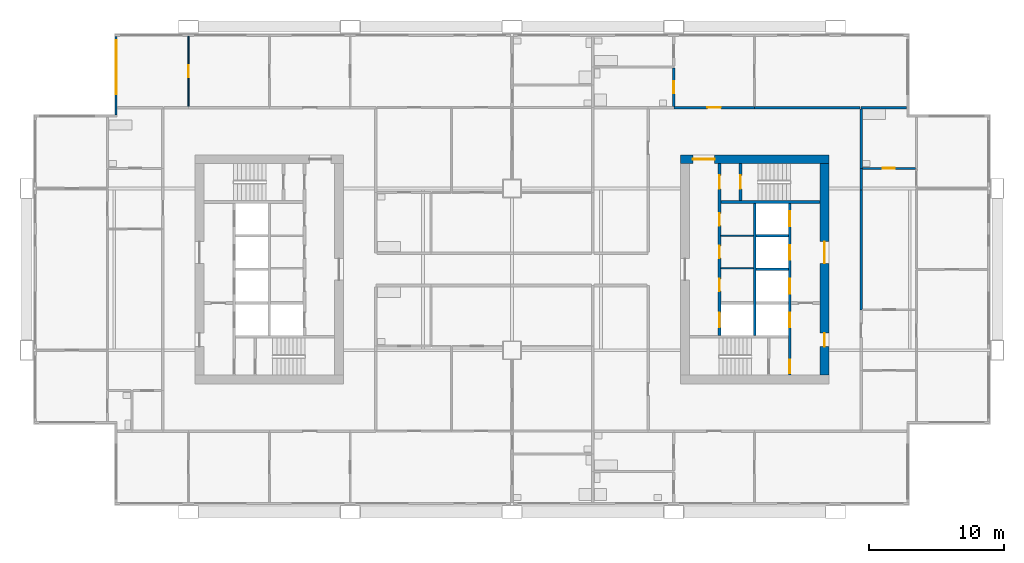
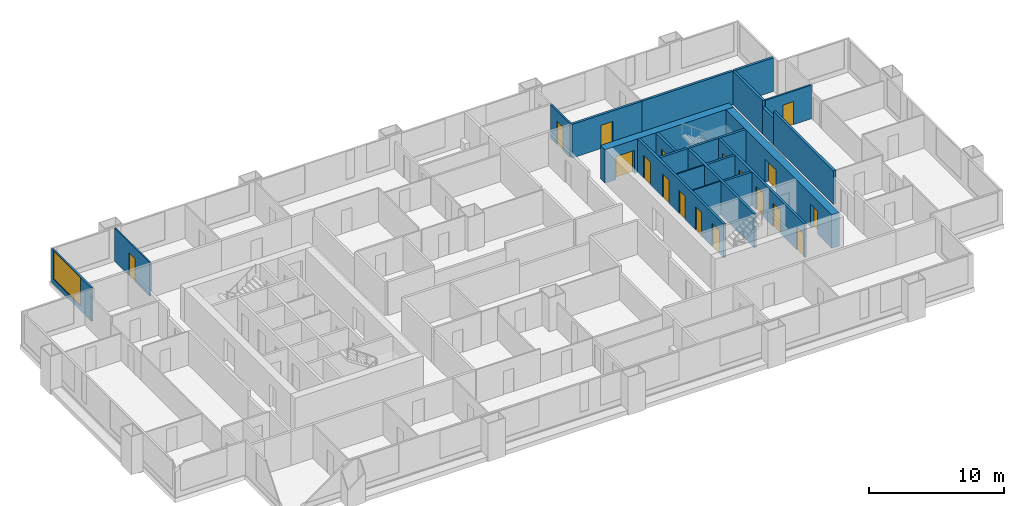
# One storey, part 7 of 11: 21 walls, 18 doors, 1 window, 19 openings.
"""IFC4 building model written with IfcOpenShell, lengths in metres."""

import ifcopenshell
import ifcopenshell.guid

model = None  # the IFC model being written
_history = None  # IfcOwnerHistory: only IFC2X3 demands one
_inside = {}  # id of a spatial element -> (the spatial element, [elements in it])
_under = {}  # id of a project, library or spatial element -> (it, [spatial elements below it])
_declared = {}  # id of a project -> (the project, [libraries it declares])
_typed = {}  # id of a type object -> (the type object, [elements of that type])
_made_of = {}  # id of a material, layer set ... -> (it, [elements and type objects made of it])


def new_model(schema):
    """Start an empty IFC model of exactly this schema.

    Asked for "IFC4X3", IfcOpenShell would pick the latest addendum, in which some entities
    have other attributes; the version numbers below select the first issue.
    IFC2X3 requires an IfcOwnerHistory on every rooted entity: one is made here for all.
    """
    global model, _history
    if schema == "IFC4X3":
        model = ifcopenshell.file(schema_version=(4, 3, 0, 0))
    else:
        model = ifcopenshell.file(schema=schema)
    _inside.clear()
    _under.clear()
    _declared.clear()
    _typed.clear()
    _made_of.clear()
    _history = None
    if model.schema == "IFC2X3":
        org = make("IfcOrganization", Name="unknown")
        user = make(
            "IfcPersonAndOrganization",
            ThePerson=make("IfcPerson", FamilyName="unknown"),
            TheOrganization=org,
        )
        app = make(
            "IfcApplication",
            ApplicationDeveloper=org,
            Version="unknown",
            ApplicationFullName="unknown",
            ApplicationIdentifier="unknown",
        )
        _history = make(
            "IfcOwnerHistory",
            OwningUser=user,
            OwningApplication=app,
            ChangeAction="ADDED",
            CreationDate=0,
        )
    return model


def make(cls, **values):
    """One entity of the class cls with the attributes given. An attribute that is None is left unset."""
    return model.create_entity(
        cls, **{name: value for name, value in values.items() if value is not None}
    )


def rooted(cls, **values):
    """An entity with a GlobalId (a new one), such as an element, a storey or a relation."""
    return make(cls, GlobalId=ifcopenshell.guid.new(), OwnerHistory=_history, **values)


def si_unit(unit_type, name, prefix=None):
    """IfcSIUnit, for example si_unit("LENGTHUNIT", "METRE", prefix="MILLI")."""
    return make("IfcSIUnit", UnitType=unit_type, Prefix=prefix, Name=name)


def assignment(units):
    """IfcUnitAssignment: the units of a project."""
    return None if units is None else make("IfcUnitAssignment", Units=units)


def point(xyz):
    """IfcCartesianPoint."""
    return None if xyz is None else make("IfcCartesianPoint", Coordinates=xyz)


def direction(xyz):
    """IfcDirection."""
    return None if xyz is None else make("IfcDirection", DirectionRatios=xyz)


def frame(location, z_axis=None, x_axis=None):
    """IfcAxis2Placement3D, a coordinate frame: its origin and axes. An axis left out is left unset."""
    return make(
        "IfcAxis2Placement3D",
        Location=point(location),
        Axis=direction(z_axis),
        RefDirection=direction(x_axis),
    )


def frame_2d(location, x_axis=None):
    """IfcAxis2Placement2D, a coordinate frame in the plane: its origin and x axis."""
    return make(
        "IfcAxis2Placement2D", Location=point(location), RefDirection=direction(x_axis)
    )


def origin():
    """The frame at (0, 0, 0) with its axes left unset."""
    return frame((0.0, 0.0, 0.0))


def place(relative_to, where):
    """IfcLocalPlacement: puts the frame where relative to a parent placement (None: the world)."""
    return make(
        "IfcLocalPlacement", PlacementRelTo=relative_to, RelativePlacement=where
    )


def context(
    kind, dimensions, precision=None, world=None, true_north=None, identifier=None
):
    """IfcGeometricRepresentationContext, for example the 3D "Model" context."""
    return make(
        "IfcGeometricRepresentationContext",
        ContextIdentifier=identifier,
        ContextType=kind,
        CoordinateSpaceDimension=dimensions,
        Precision=precision,
        WorldCoordinateSystem=world,
        TrueNorth=true_north,
    )


def subcontext(parent, identifier, kind, view, scale=None):
    """IfcGeometricRepresentationSubContext, for example "Body" below "Model"."""
    return make(
        "IfcGeometricRepresentationSubContext",
        ContextIdentifier=identifier,
        ContextType=kind,
        ParentContext=parent,
        TargetScale=scale,
        TargetView=view,
    )


def project(units=None, contexts=None):
    """IfcProject with its units and contexts."""
    return rooted(
        "IfcProject",
        Name="project",
        RepresentationContexts=contexts,
        UnitsInContext=assignment(units),
    )


def spatial(cls, under=None, at=None, **own):
    """A site, building, storey or space (cls), placed at a placement, below another one or the project."""
    s = rooted(cls, ObjectPlacement=at, **own)
    if under is not None:
        _under.setdefault(under.id(), (under, []))[1].append(s)
    return s


def profile(cls, at=None, kind="AREA", **sizes):
    """A parametric profile (cls). Its sizes go by their IFC names, for example OverallWidth=200.0."""
    return make(cls, ProfileType=kind, Position=at, **sizes)


def rectangle(**sizes):
    """IfcRectangleProfileDef."""
    return profile("IfcRectangleProfileDef", **sizes)


def extrude(swept, where, along, depth):
    """IfcExtrudedAreaSolid: the profile swept, set in the frame where, extruded along a direction by depth."""
    return make(
        "IfcExtrudedAreaSolid",
        SweptArea=swept,
        Position=where,
        ExtrudedDirection=direction(along),
        Depth=depth,
    )


def shape(context_of_items, identifier, shape_type, items):
    """IfcShapeRepresentation: the items that make up one representation, for example the "Body"."""
    return make(
        "IfcShapeRepresentation",
        ContextOfItems=context_of_items,
        RepresentationIdentifier=identifier,
        RepresentationType=shape_type,
        Items=items,
    )


def material(Name=None, Category=None):
    """IfcMaterial."""
    return make("IfcMaterial", Name=Name, Category=Category)


def layer(
    of_material, thickness, ventilated=None, Name=None, Category=None, Priority=None
):
    """IfcMaterialLayer: one layer of a wall or slab, of a material (None: an air gap)."""
    return make(
        "IfcMaterialLayer",
        Material=of_material,
        LayerThickness=thickness,
        IsVentilated=ventilated,
        Name=Name,
        Category=Category,
        Priority=Priority,
    )


def layer_set(layers, Name=None):
    """IfcMaterialLayerSet."""
    return make("IfcMaterialLayerSet", MaterialLayers=layers, LayerSetName=Name)


def made_of(thing, what):
    """Note that an element or type object is made of a material, layer set ...; save() writes the relation."""
    if what is not None:
        _made_of.setdefault(what.id(), (what, []))[1].append(thing)
    return thing


def type_object(cls, material=None, **own):
    """A type object (cls), such as IfcWallType, which elements share."""
    return made_of(rooted(cls, **own), material)


def element(
    cls,
    number,
    at=None,
    inside=None,
    cuts=None,
    type_object=None,
    material=None,
    context=None,
    identifier="Body",
    shape_type=None,
    held_by="IfcProductDefinitionShape",
    body=None,
    shapes=None,
    **own,
):
    """One element of the class cls, such as IfcWall. Its Tag is "e" and its number.

    at: its placement. inside: the storey or other place that contains it. cuts: it is an
    opening in that element (IfcRelVoidsElement). A single representation is given by context,
    identifier, shape_type and body (its items); several are given by shapes. held_by: the class
    of the entity that holds the representations. save() writes the other relations.
    """
    e = rooted(cls, Tag="e%d" % number, ObjectPlacement=at, **own)
    if body is not None:
        shapes = [shape(context, identifier, shape_type, body)]
    if shapes is not None:
        e.Representation = make(held_by, Representations=shapes)
    if inside is not None:
        _inside.setdefault(inside.id(), (inside, []))[1].append(e)
    if cuts is not None:
        rooted(
            "IfcRelVoidsElement", RelatingBuildingElement=cuts, RelatedOpeningElement=e
        )
    if type_object is not None:
        _typed.setdefault(type_object.id(), (type_object, []))[1].append(e)
    return made_of(e, material)


def fill(opening, filler):
    """IfcRelFillsElement: the door or window that sits in an opening."""
    return rooted(
        "IfcRelFillsElement",
        RelatingOpeningElement=opening,
        RelatedBuildingElement=filler,
    )


def aggregate(whole, parts):
    """IfcRelAggregates: a whole, such as a stair, and the parts it consists of."""
    return rooted("IfcRelAggregates", RelatingObject=whole, RelatedObjects=parts)


def save(model, path):
    """Write the relations noted so far, then the file.

    IfcRelAggregates (storeys below a building ...), IfcRelContainedInSpatialStructure (elements
    in a storey), IfcRelDefinesByType, IfcRelAssociatesMaterial and IfcRelDeclares: one each for
    every whole, place, type object, material and project.
    """
    for whole, parts in _under.values():
        aggregate(whole, parts)
    for where, things in _inside.values():
        rooted(
            "IfcRelContainedInSpatialStructure",
            RelatedElements=things,
            RelatingStructure=where,
        )
    for kind, things in _typed.values():
        rooted("IfcRelDefinesByType", RelatedObjects=things, RelatingType=kind)
    for what, things in _made_of.values():
        rooted("IfcRelAssociatesMaterial", RelatedObjects=things, RelatingMaterial=what)
    for by, libraries in _declared.values():
        rooted("IfcRelDeclares", RelatingContext=by, RelatedDefinitions=libraries)
    model.write(path)


model = new_model("IFC4")

# Units and contexts
model_context = context("Model", 3, precision=1e-05, world=origin(), true_north=direction((0.0, 1.0)))
body_context = subcontext(model_context, "Body", "Model", "MODEL_VIEW")
ifc_project = project(units=[si_unit("LENGTHUNIT", "METRE"), si_unit("AREAUNIT", "SQUARE_METRE"), si_unit("VOLUMEUNIT", "CUBIC_METRE"), si_unit("PLANEANGLEUNIT", "RADIAN"), si_unit("MASSUNIT", "GRAM", prefix="KILO")], contexts=[model_context])

# Site, building, storey
site_placement = place(None, origin())
site = spatial("IfcSite", under=ifc_project, at=site_placement, CompositionType="ELEMENT")
building_placement = place(site_placement, origin())
building = spatial("IfcBuilding", under=site, at=building_placement, Name="Kitamizu Gate Tower and Museum", CompositionType="ELEMENT")
storey_placement = place(building_placement, frame((0.0, 0.0, 120.75)))
storey = spatial("IfcBuildingStorey", under=building, at=storey_placement, Name="L31", CompositionType="ELEMENT", Elevation=120.75)

# Wall, opening, door
ifc_material_1 = material(Name="Concrete Fc60", Category="concrete")
ifc_layer_1 = layer(ifc_material_1, 0.64990234375)
ifc_layer_set_1 = layer_set([ifc_layer_1], Name="Concrete Fc60")
wall_type_1 = type_object("IfcWallType", Name="Core wall 650", PredefinedType="SHEAR", material=ifc_layer_set_1)
wall_1_placement = place(storey_placement, frame((59.5, 38.175048828125, 0.0), z_axis=(0.0, 0.0, 1.0), x_axis=(-1.0, 0.0, 0.0)))
wall_1 = element("IfcWall", 1, at=wall_1_placement, inside=storey, type_object=wall_type_1, Name="Core wall EN", PredefinedType="SHEAR", context=body_context, shape_type="SweptSolid", body=[
    extrude(rectangle(XDim=11.0, YDim=0.64990234375, at=frame_2d((5.5, 0.0))), origin(), (0.0, 0.0, 1.0), 3.050048828125),
])
opening_1_placement = place(wall_1_placement, frame((8.47509765625, 0.0, 0.0)))
opening_1 = element("IfcOpeningElement", 2, at=opening_1_placement, cuts=wall_1, Name="Opening L31-067", PredefinedType="OPENING", context=body_context, shape_type="SweptSolid", body=[
    extrude(rectangle(XDim=1.60009765625, YDim=2.10009765625, at=frame_2d((0.800048828125, 1.050048828125))), frame((0.0, 0.3349609375, 0.0), z_axis=(0.0, -1.0, 0.0), x_axis=(1.0, 0.0, 0.0)), (0.0, 0.0, 1.0), 0.669921875),
])
ifc_material_2 = material(Name="Timber door set", Category="wood")
door_type_1 = type_object("IfcDoorType", Name="Entrance door 1600", OperationType="DOUBLE_DOOR_SINGLE_SWING", PredefinedType="DOOR", material=ifc_material_2)
door_1_placement = place(opening_1_placement, origin())
door_1 = element("IfcDoor", 3, at=door_1_placement, inside=storey, type_object=door_type_1, Name="Lobby door L31-067", OperationType="DOUBLE_DOOR_SINGLE_SWING", OverallHeight=2.10009765625, OverallWidth=1.60009765625, PredefinedType="DOOR", context=body_context, shape_type="SweptSolid", body=[
    extrude(rectangle(XDim=1.60009765625, YDim=2.10009765625, at=frame_2d((0.800048828125, 1.050048828125))), frame((0.0, 0.02490234375, 0.0), z_axis=(0.0, -1.0, 0.0), x_axis=(1.0, 0.0, 0.0)), (0.0, 0.0, 1.0), 0.050048828125),
])
fill(opening_1, door_1)

# Wall, openings, doors
wall_2_placement = place(storey_placement, frame((59.175048828125, 22.14990234375, 0.0), z_axis=(0.0, 0.0, 1.0), x_axis=(0.0, 1.0, 0.0)))
wall_2 = element("IfcWall", 4, at=wall_2_placement, inside=storey, type_object=wall_type_1, Name="Core wall EOUT", PredefinedType="SHEAR", context=body_context, shape_type="SweptSolid", body=[
    extrude(rectangle(XDim=15.7001953125, YDim=0.64990234375, at=frame_2d((7.85009765625, 0.0))), origin(), (0.0, 0.0, 1.0), 3.050048828125),
])
opening_2_placement = place(wall_2_placement, frame((8.300048828125, 0.0, 0.0)))
opening_2 = element("IfcOpeningElement", 5, at=opening_2_placement, cuts=wall_2, Name="Opening L31-065", PredefinedType="OPENING", context=body_context, shape_type="SweptSolid", body=[
    extrude(rectangle(XDim=1.60009765625, YDim=2.10009765625, at=frame_2d((0.800048828125, 1.050048828125))), frame((0.0, 0.3349609375, 0.0), z_axis=(0.0, -1.0, 0.0), x_axis=(1.0, 0.0, 0.0)), (0.0, 0.0, 1.0), 0.669921875),
])
opening_3_placement = place(wall_2_placement, frame((2.125, 0.0, 0.0)))
opening_3 = element("IfcOpeningElement", 6, at=opening_3_placement, cuts=wall_2, Name="Opening L31-066", PredefinedType="OPENING", context=body_context, shape_type="SweptSolid", body=[
    extrude(rectangle(XDim=1.0, YDim=2.10009765625, at=frame_2d((0.5, 1.050048828125))), frame((0.0, 0.3349609375, 0.0), z_axis=(0.0, -1.0, 0.0), x_axis=(1.0, 0.0, 0.0)), (0.0, 0.0, 1.0), 0.669921875),
])
door_2_placement = place(opening_2_placement, origin())
door_2 = element("IfcDoor", 7, at=door_2_placement, inside=storey, type_object=door_type_1, Name="Lobby door L31-065", OperationType="DOUBLE_DOOR_SINGLE_SWING", OverallHeight=2.10009765625, OverallWidth=1.60009765625, PredefinedType="DOOR", context=body_context, shape_type="SweptSolid", body=[
    extrude(rectangle(XDim=1.60009765625, YDim=2.10009765625, at=frame_2d((0.800048828125, 1.050048828125))), frame((0.0, 0.02490234375, 0.0), z_axis=(0.0, -1.0, 0.0), x_axis=(1.0, 0.0, 0.0)), (0.0, 0.0, 1.0), 0.050048828125),
])
fill(opening_2, door_2)
ifc_material_3 = material(Name="Hollow metal door set")
door_type_2 = type_object("IfcDoorType", Name="Fire door 1000", OperationType="NOTDEFINED", PredefinedType="DOOR", material=ifc_material_3)
door_3_placement = place(opening_3_placement, origin())
door_3 = element("IfcDoor", 8, at=door_3_placement, inside=storey, type_object=door_type_2, Name="Fire-fighting lobby door L31-066", OperationType="SINGLE_SWING_LEFT", OverallHeight=2.10009765625, OverallWidth=1.0, PredefinedType="DOOR", context=body_context, shape_type="SweptSolid", body=[
    extrude(rectangle(XDim=1.0, YDim=2.10009765625, at=frame_2d((0.5, 1.050048828125))), frame((0.0, 0.02490234375, 0.0), z_axis=(0.0, -1.0, 0.0), x_axis=(1.0, 0.0, 0.0)), (0.0, 0.0, 1.0), 0.050048828125),
])
fill(opening_3, door_3)

# Walls
ifc_material_4 = material(Name="Gypsum board on galvanised stud")
ifc_layer_2 = layer(ifc_material_4, 0.10009765625)
ifc_layer_set_2 = layer_set([ifc_layer_2], Name="Gypsum board on galvanised stud")
wall_type_2 = type_object("IfcWallType", Name="Partition 100", PredefinedType="PARTITIONING", material=ifc_layer_set_2)
for number, where, z_axis, x_axis, name in (
    (9, (53.89990234375, 30.08203125, 0.0), (0.0, 0.0, 1.0), (-1.0, 0.0, 0.0), "Partition EPF1"),
    (10, (53.89990234375, 32.490966796875, 0.0), (0.0, 0.0, 1.0), (-1.0, 0.0, 0.0), "Partition EPF2"),
):
    element("IfcWall", number, at=place(storey_placement, frame(where, z_axis=z_axis, x_axis=x_axis)), inside=storey, type_object=wall_type_2, Name=name, PredefinedType="PARTITIONING", context=body_context, shape_type="SweptSolid", body=[
        extrude(rectangle(XDim=2.39990234375, YDim=0.10009765625, at=frame_2d((1.199951171875, 0.0))), origin(), (0.0, 0.0, 1.0), 3.050048828125),
    ])

# Wall, opening, door
ifc_material_5 = material(Name="Gypsum board on galvanised stud")
ifc_layer_3 = layer(ifc_material_5, 0.10009765625)
ifc_layer_set_3 = layer_set([ifc_layer_3], Name="Gypsum board on galvanised stud")
wall_type_3 = type_object("IfcWallType", Name="Partition 100 NOT RATED", PredefinedType="PARTITIONING", material=ifc_layer_set_3)
wall_3_placement = place(storey_placement, frame((12.0, 42.10009765625, 0.0), z_axis=(0.0, 0.0, 1.0), x_axis=(0.0, 1.0, 0.0)))
wall_3 = element("IfcWall", 11, at=wall_3_placement, inside=storey, type_object=wall_type_3, Name="Partition L31-054", PredefinedType="PARTITIONING", context=body_context, shape_type="SweptSolid", body=[
    extrude(rectangle(XDim=5.179931640625, YDim=0.10009765625, at=frame_2d((2.58984375, 0.0))), origin(), (0.0, 0.0, 1.0), 3.050048828125),
])
opening_4_placement = place(wall_3_placement, frame((2.139892578125, 0.0, 0.0)))
opening_4 = element("IfcOpeningElement", 12, at=opening_4_placement, cuts=wall_3, Name="Opening L31-030", PredefinedType="OPENING", context=body_context, shape_type="SweptSolid", body=[
    extrude(rectangle(XDim=0.89990234375, YDim=2.10009765625, at=frame_2d((0.449951171875, 1.050048828125))), frame((0.0, 0.06005859375, 0.0), z_axis=(0.0, -1.0, 0.0), x_axis=(1.0, 0.0, 0.0)), (0.0, 0.0, 1.0), 0.1201171875),
])
ifc_material_6 = material(Name="Timber door set", Category="wood")
door_type_3 = type_object("IfcDoorType", Name="Room door 900", OperationType="NOTDEFINED", PredefinedType="DOOR", material=ifc_material_6)
door_4_placement = place(opening_4_placement, origin())
door_4 = element("IfcDoor", 13, at=door_4_placement, inside=storey, type_object=door_type_3, Name="Door L31-030", OperationType="SINGLE_SWING_LEFT", OverallHeight=2.10009765625, OverallWidth=0.89990234375, PredefinedType="DOOR", context=body_context, shape_type="SweptSolid", body=[
    extrude(rectangle(XDim=0.89990234375, YDim=2.10009765625, at=frame_2d((0.449951171875, 1.050048828125))), frame((0.0, 0.02490234375, 0.0), z_axis=(0.0, -1.0, 0.0), x_axis=(1.0, 0.0, 0.0)), (0.0, 0.0, 1.0), 0.050048828125),
])
fill(opening_4, door_4)

ifc_material_7 = material(Name="Gypsum board on galvanised stud")
ifc_layer_4 = layer(ifc_material_7, 0.14990234375)
ifc_layer_set_4 = layer_set([ifc_layer_4], Name="Gypsum board on galvanised stud")
wall_type_4 = type_object("IfcWallType", Name="Partition 150", PredefinedType="PARTITIONING", material=ifc_layer_set_4)
wall_4_placement = place(storey_placement, frame((65.925048828125, 37.5, 0.0), z_axis=(0.0, 0.0, 1.0), x_axis=(-1.0, 0.0, 0.0)))
wall_4 = element("IfcWall", 14, at=wall_4_placement, inside=storey, type_object=wall_type_4, Name="Partition L31-112", PredefinedType="PARTITIONING", context=body_context, shape_type="SweptSolid", body=[
    extrude(rectangle(XDim=3.925048828125, YDim=0.14990234375, at=frame_2d((1.96240234375, 0.0))), origin(), (0.0, 0.0, 1.0), 3.050048828125),
])
opening_5_placement = place(wall_4_placement, frame((1.512451171875, 0.0, 0.0)))
opening_5 = element("IfcOpeningElement", 15, at=opening_5_placement, cuts=wall_4, Name="Opening L31-041", PredefinedType="OPENING", context=body_context, shape_type="SweptSolid", body=[
    extrude(rectangle(XDim=0.89990234375, YDim=2.10009765625, at=frame_2d((0.449951171875, 1.050048828125))), frame((0.0, 0.0849609375, 0.0), z_axis=(0.0, -1.0, 0.0), x_axis=(1.0, 0.0, 0.0)), (0.0, 0.0, 1.0), 0.169921875),
])
ifc_material_8 = material(Name="Timber door set", Category="wood")
door_type_4 = type_object("IfcDoorType", Name="Bathroom door 900", OperationType="NOTDEFINED", PredefinedType="DOOR", material=ifc_material_8)
door_5_placement = place(opening_5_placement, frame((0.89990234375, 0.0, 0.0), x_axis=(-1.0, 0.0, 0.0)))
door_5 = element("IfcDoor", 16, at=door_5_placement, inside=storey, type_object=door_type_4, Name="Bathroom door L31-041", OperationType="SINGLE_SWING_LEFT", OverallHeight=2.10009765625, OverallWidth=0.89990234375, PredefinedType="DOOR", context=body_context, shape_type="SweptSolid", body=[
    extrude(rectangle(XDim=0.89990234375, YDim=2.10009765625, at=frame_2d((0.449951171875, 1.050048828125))), frame((0.0, 0.02490234375, 0.0), z_axis=(0.0, -1.0, 0.0), x_axis=(1.0, 0.0, 0.0)), (0.0, 0.0, 1.0), 0.050048828125),
])
fill(opening_5, door_5)

wall_5_placement = place(storey_placement, frame((48.0, 42.10009765625, 0.0), z_axis=(0.0, 0.0, 1.0), x_axis=(0.0, 1.0, 0.0)))
wall_5 = element("IfcWall", 17, at=wall_5_placement, inside=storey, type_object=wall_type_4, Name="Partition L31-118", PredefinedType="PARTITIONING", context=body_context, shape_type="SweptSolid", body=[
    extrude(rectangle(XDim=2.824951171875, YDim=0.14990234375, at=frame_2d((1.41259765625, 0.0))), origin(), (0.0, 0.0, 1.0), 3.050048828125),
])
opening_6_placement = place(wall_5_placement, frame((0.96240234375, 0.0, 0.0)))
opening_6 = element("IfcOpeningElement", 18, at=opening_6_placement, cuts=wall_5, Name="Opening L31-044", PredefinedType="OPENING", context=body_context, shape_type="SweptSolid", body=[
    extrude(rectangle(XDim=0.89990234375, YDim=2.10009765625, at=frame_2d((0.449951171875, 1.050048828125))), frame((0.0, 0.0849609375, 0.0), z_axis=(0.0, -1.0, 0.0), x_axis=(1.0, 0.0, 0.0)), (0.0, 0.0, 1.0), 0.169921875),
])
door_6_placement = place(opening_6_placement, origin())
door_6 = element("IfcDoor", 19, at=door_6_placement, inside=storey, type_object=door_type_4, Name="Bathroom door L31-044", OperationType="SINGLE_SWING_LEFT", OverallHeight=2.10009765625, OverallWidth=0.89990234375, PredefinedType="DOOR", context=body_context, shape_type="SweptSolid", body=[
    extrude(rectangle(XDim=0.89990234375, YDim=2.10009765625, at=frame_2d((0.449951171875, 1.050048828125))), frame((0.0, 0.02490234375, 0.0), z_axis=(0.0, -1.0, 0.0), x_axis=(1.0, 0.0, 0.0)), (0.0, 0.0, 1.0), 0.050048828125),
])
fill(opening_6, door_6)

# Walls
ifc_material_9 = material(Name="Gypsum board on galvanised stud")
ifc_layer_5 = layer(ifc_material_9, 0.199951171875)
ifc_layer_set_5 = layer_set([ifc_layer_5], Name="Gypsum board on galvanised stud")
wall_type_5 = type_object("IfcWallType", Name="Partition 200", PredefinedType="PARTITIONING", material=ifc_layer_set_5)
wall_6_placement = place(storey_placement, frame((61.89990234375, 37.5, 0.0), z_axis=(0.0, 0.0, 1.0), x_axis=(0.0, -1.0, 0.0)))
element("IfcWall", 20, at=wall_6_placement, inside=storey, type_object=wall_type_5, Name="Partition L31-113", PredefinedType="PARTITIONING", context=body_context, shape_type="SweptSolid", body=[
    extrude(rectangle(XDim=1.60009765625, YDim=0.199951171875, at=frame_2d((0.800048828125, 0.0))), origin(), (0.0, 0.0, 1.0), 2.449951171875),
])
wall_7_placement = place(storey_placement, frame((61.89990234375, 35.89990234375, 0.0), z_axis=(0.0, 0.0, 1.0), x_axis=(0.0, -1.0, 0.0)))
element("IfcWall", 21, at=wall_7_placement, inside=storey, type_object=wall_type_5, Name="Partition L31-114", PredefinedType="PARTITIONING", context=body_context, shape_type="SweptSolid", body=[
    extrude(rectangle(XDim=8.89990234375, YDim=0.199951171875, at=frame_2d((4.449951171875, 0.0))), origin(), (0.0, 0.0, 1.0), 3.050048828125),
])
wall_8_placement = place(storey_placement, frame((65.280029296875, 42.0, 0.0), z_axis=(0.0, 0.0, 1.0), x_axis=(-1.0, 0.0, 0.0)))
element("IfcWall", 22, at=wall_8_placement, inside=storey, type_object=wall_type_5, Name="Partition L31-115", PredefinedType="PARTITIONING", context=body_context, shape_type="SweptSolid", body=[
    extrude(rectangle(XDim=3.380126953125, YDim=0.199951171875, at=frame_2d((1.68994140625, 0.0))), origin(), (0.0, 0.0, 1.0), 3.050048828125),
])
wall_9_placement = place(storey_placement, frame((61.89990234375, 41.89990234375, 0.0), z_axis=(0.0, 0.0, 1.0), x_axis=(0.0, -1.0, 0.0)))
element("IfcWall", 23, at=wall_9_placement, inside=storey, type_object=wall_type_5, Name="Partition L31-116", PredefinedType="PARTITIONING", context=body_context, shape_type="SweptSolid", body=[
    extrude(rectangle(XDim=4.39990234375, YDim=0.199951171875, at=frame_2d((2.199951171875, 0.0))), origin(), (0.0, 0.0, 1.0), 3.050048828125),
])

# Wall, opening, door
wall_10_placement = place(storey_placement, frame((48.0, 42.0, 0.0), z_axis=(0.0, 0.0, 1.0), x_axis=(1.0, 0.0, 0.0)))
wall_10 = element("IfcWall", 24, at=wall_10_placement, inside=storey, type_object=wall_type_5, Name="Partition L31-123", PredefinedType="PARTITIONING", context=body_context, shape_type="SweptSolid", body=[
    extrude(rectangle(XDim=6.0, YDim=0.199951171875, at=frame_2d((3.0, 0.0))), origin(), (0.0, 0.0, 1.0), 3.050048828125),
])
opening_7_placement = place(wall_10_placement, frame((2.5, 0.0, 0.0)))
opening_7 = element("IfcOpeningElement", 25, at=opening_7_placement, cuts=wall_10, Name="Opening L31-042", PredefinedType="OPENING", context=body_context, shape_type="SweptSolid", body=[
    extrude(rectangle(XDim=1.0, YDim=2.10009765625, at=frame_2d((0.5, 1.050048828125))), frame((0.0, 0.10986328125, 0.0), z_axis=(0.0, -1.0, 0.0), x_axis=(1.0, 0.0, 0.0)), (0.0, 0.0, 1.0), 0.219970703125),
])
ifc_material_10 = material(Name="Timber door set", Category="wood")
door_type_5 = type_object("IfcDoorType", Name="Flat entrance door 1000", OperationType="NOTDEFINED", PredefinedType="DOOR", material=ifc_material_10)
door_7_placement = place(opening_7_placement, origin())
door_7 = element("IfcDoor", 26, at=door_7_placement, inside=storey, type_object=door_type_5, Name="Flat entrance door L31-042", OperationType="SINGLE_SWING_LEFT", OverallHeight=2.10009765625, OverallWidth=1.0, PredefinedType="DOOR", context=body_context, shape_type="SweptSolid", body=[
    extrude(rectangle(XDim=1.0, YDim=2.10009765625, at=frame_2d((0.5, 1.050048828125))), frame((0.0, 0.02490234375, 0.0), z_axis=(0.0, -1.0, 0.0), x_axis=(1.0, 0.0, 0.0)), (0.0, 0.0, 1.0), 0.050048828125),
])
fill(opening_7, door_7)

# Wall
wall_11_placement = place(storey_placement, frame((54.0, 42.0, 0.0), z_axis=(0.0, 0.0, 1.0), x_axis=(1.0, 0.0, 0.0)))
element("IfcWall", 27, at=wall_11_placement, inside=storey, type_object=wall_type_5, Name="Partition L31-124", PredefinedType="PARTITIONING", context=body_context, shape_type="SweptSolid", body=[
    extrude(rectangle(XDim=7.800048828125, YDim=0.199951171875, at=frame_2d((3.89990234375, 0.0))), origin(), (0.0, 0.0, 1.0), 3.050048828125),
])

# Wall, openings, doors
ifc_material_11 = material(Name="Concrete Fc42", Category="concrete")
ifc_layer_6 = layer(ifc_material_11, 0.199951171875)
ifc_layer_set_6 = layer_set([ifc_layer_6], Name="Concrete Fc42")
wall_type_6 = type_object("IfcWallType", Name="Shaft wall 200", PredefinedType="SOLIDWALL", material=ifc_layer_set_6)
wall_12_placement = place(storey_placement, frame((56.60009765625, 22.14990234375, 0.0), z_axis=(0.0, 0.0, 1.0), x_axis=(0.0, 1.0, 0.0)))
wall_12 = element("IfcWall", 28, at=wall_12_placement, inside=storey, type_object=wall_type_6, Name="Shaft wall EWEST", PredefinedType="SOLIDWALL", context=body_context, shape_type="SweptSolid", body=[
    extrude(rectangle(XDim=12.75, YDim=0.199951171875, at=frame_2d((6.375, 0.0))), origin(), (0.0, 0.0, 1.0), 3.050048828125),
])
opening_8_placement = place(wall_12_placement, frame((3.550048828125, 0.0, 0.0)))
opening_8 = element("IfcOpeningElement", 29, at=opening_8_placement, cuts=wall_12, Name="Opening LD", PredefinedType="OPENING", context=body_context, shape_type="SweptSolid", body=[
    extrude(rectangle(XDim=1.10009765625, YDim=2.10009765625, at=frame_2d((0.550048828125, 1.050048828125))), frame((0.0, 0.10986328125, 0.0), z_axis=(0.0, -1.0, 0.0), x_axis=(1.0, 0.0, 0.0)), (0.0, 0.0, 1.0), 0.219970703125),
])
opening_9_placement = place(wall_12_placement, frame((6.050048828125, 0.0, 0.0)))
opening_9 = element("IfcOpeningElement", 30, at=opening_9_placement, cuts=wall_12, Name="Opening LD", PredefinedType="OPENING", context=body_context, shape_type="SweptSolid", body=[
    extrude(rectangle(XDim=1.10009765625, YDim=2.10009765625, at=frame_2d((0.550048828125, 1.050048828125))), frame((0.0, 0.10986328125, 0.0), z_axis=(0.0, -1.0, 0.0), x_axis=(1.0, 0.0, 0.0)), (0.0, 0.0, 1.0), 0.219970703125),
])
opening_10_placement = place(wall_12_placement, frame((8.550048828125, 0.0, 0.0)))
opening_10 = element("IfcOpeningElement", 31, at=opening_10_placement, cuts=wall_12, Name="Opening LD", PredefinedType="OPENING", context=body_context, shape_type="SweptSolid", body=[
    extrude(rectangle(XDim=1.10009765625, YDim=2.10009765625, at=frame_2d((0.550048828125, 1.050048828125))), frame((0.0, 0.10986328125, 0.0), z_axis=(0.0, -1.0, 0.0), x_axis=(1.0, 0.0, 0.0)), (0.0, 0.0, 1.0), 0.219970703125),
])
opening_11_placement = place(wall_12_placement, frame((11.050048828125, 0.0, 0.0)))
opening_11 = element("IfcOpeningElement", 32, at=opening_11_placement, cuts=wall_12, Name="Opening LD", PredefinedType="OPENING", context=body_context, shape_type="SweptSolid", body=[
    extrude(rectangle(XDim=1.10009765625, YDim=2.10009765625, at=frame_2d((0.550048828125, 1.050048828125))), frame((0.0, 0.10986328125, 0.0), z_axis=(0.0, -1.0, 0.0), x_axis=(1.0, 0.0, 0.0)), (0.0, 0.0, 1.0), 0.219970703125),
])
opening_12_placement = place(wall_12_placement, frame((0.14990234375, 0.0, 0.0)))
opening_12 = element("IfcOpeningElement", 33, at=opening_12_placement, cuts=wall_12, Name="Opening L31-061", PredefinedType="OPENING", context=body_context, shape_type="SweptSolid", body=[
    extrude(rectangle(XDim=1.0, YDim=2.10009765625, at=frame_2d((0.5, 1.050048828125))), frame((0.0, 0.10986328125, 0.0), z_axis=(0.0, -1.0, 0.0), x_axis=(1.0, 0.0, 0.0)), (0.0, 0.0, 1.0), 0.219970703125),
])
door_8_placement = place(opening_12_placement, origin())
door_8 = element("IfcDoor", 34, at=door_8_placement, inside=storey, type_object=door_type_2, Name="Stair lobby door L31-061", OperationType="SINGLE_SWING_RIGHT", OverallHeight=2.10009765625, OverallWidth=1.0, PredefinedType="DOOR", context=body_context, shape_type="SweptSolid", body=[
    extrude(rectangle(XDim=1.0, YDim=2.10009765625, at=frame_2d((0.5, 1.050048828125))), frame((0.0, 0.02490234375, 0.0), z_axis=(0.0, -1.0, 0.0), x_axis=(1.0, 0.0, 0.0)), (0.0, 0.0, 1.0), 0.050048828125),
])
fill(opening_12, door_8)
ifc_material_12 = material(Name="Hollow metal door set")
door_type_6 = type_object("IfcDoorType", Name="Landing door 1100", OperationType="SLIDING_TO_LEFT", PredefinedType="DOOR", material=ifc_material_12)
door_9_placement = place(opening_8_placement, origin())
door_9 = element("IfcDoor", 35, at=door_9_placement, inside=storey, type_object=door_type_6, Name="Landing door EFF1", OperationType="SLIDING_TO_LEFT", OverallHeight=2.10009765625, OverallWidth=1.10009765625, PredefinedType="DOOR", context=body_context, shape_type="SweptSolid", body=[
    extrude(rectangle(XDim=1.10009765625, YDim=2.10009765625, at=frame_2d((0.550048828125, 1.050048828125))), frame((0.0, 0.02490234375, 0.0), z_axis=(0.0, -1.0, 0.0), x_axis=(1.0, 0.0, 0.0)), (0.0, 0.0, 1.0), 0.050048828125),
])
fill(opening_8, door_9)
door_10_placement = place(opening_9_placement, origin())
door_10 = element("IfcDoor", 36, at=door_10_placement, inside=storey, type_object=door_type_6, Name="Landing door EL1", OperationType="SLIDING_TO_LEFT", OverallHeight=2.10009765625, OverallWidth=1.10009765625, PredefinedType="DOOR", context=body_context, shape_type="SweptSolid", body=[
    extrude(rectangle(XDim=1.10009765625, YDim=2.10009765625, at=frame_2d((0.550048828125, 1.050048828125))), frame((0.0, 0.02490234375, 0.0), z_axis=(0.0, -1.0, 0.0), x_axis=(1.0, 0.0, 0.0)), (0.0, 0.0, 1.0), 0.050048828125),
])
fill(opening_9, door_10)
door_11_placement = place(opening_10_placement, origin())
door_11 = element("IfcDoor", 37, at=door_11_placement, inside=storey, type_object=door_type_6, Name="Landing door EL2", OperationType="SLIDING_TO_LEFT", OverallHeight=2.10009765625, OverallWidth=1.10009765625, PredefinedType="DOOR", context=body_context, shape_type="SweptSolid", body=[
    extrude(rectangle(XDim=1.10009765625, YDim=2.10009765625, at=frame_2d((0.550048828125, 1.050048828125))), frame((0.0, 0.02490234375, 0.0), z_axis=(0.0, -1.0, 0.0), x_axis=(1.0, 0.0, 0.0)), (0.0, 0.0, 1.0), 0.050048828125),
])
fill(opening_10, door_11)
door_12_placement = place(opening_11_placement, origin())
door_12 = element("IfcDoor", 38, at=door_12_placement, inside=storey, type_object=door_type_6, Name="Landing door EL3", OperationType="SLIDING_TO_LEFT", OverallHeight=2.10009765625, OverallWidth=1.10009765625, PredefinedType="DOOR", context=body_context, shape_type="SweptSolid", body=[
    extrude(rectangle(XDim=1.10009765625, YDim=2.10009765625, at=frame_2d((0.550048828125, 1.050048828125))), frame((0.0, 0.02490234375, 0.0), z_axis=(0.0, -1.0, 0.0), x_axis=(1.0, 0.0, 0.0)), (0.0, 0.0, 1.0), 0.050048828125),
])
fill(opening_11, door_12)

wall_13_placement = place(storey_placement, frame((51.39990234375, 25.10009765625, 0.0), z_axis=(0.0, 0.0, 1.0), x_axis=(0.0, 1.0, 0.0)))
wall_13 = element("IfcWall", 39, at=wall_13_placement, inside=storey, type_object=wall_type_6, Name="Shaft wall EEAST", PredefinedType="SOLIDWALL", context=body_context, shape_type="SweptSolid", body=[
    extrude(rectangle(XDim=12.75, YDim=0.199951171875, at=frame_2d((6.375, 0.0))), origin(), (0.0, 0.0, 1.0), 3.050048828125),
])
opening_13_placement = place(wall_13_placement, frame((0.60009765625, 0.0, 0.0)))
opening_13 = element("IfcOpeningElement", 40, at=opening_13_placement, cuts=wall_13, Name="Opening LD", PredefinedType="OPENING", context=body_context, shape_type="SweptSolid", body=[
    extrude(rectangle(XDim=1.10009765625, YDim=2.10009765625, at=frame_2d((0.550048828125, 1.050048828125))), frame((0.0, 0.10986328125, 0.0), z_axis=(0.0, -1.0, 0.0), x_axis=(1.0, 0.0, 0.0)), (0.0, 0.0, 1.0), 0.219970703125),
])
opening_14_placement = place(wall_13_placement, frame((10.875, 0.0, 0.0)))
opening_14 = element("IfcOpeningElement", 41, at=opening_14_placement, cuts=wall_13, Name="Opening L31-062", PredefinedType="OPENING", context=body_context, shape_type="SweptSolid", body=[
    extrude(rectangle(XDim=1.0, YDim=2.10009765625, at=frame_2d((0.5, 1.050048828125))), frame((0.0, 0.10986328125, 0.0), z_axis=(0.0, -1.0, 0.0), x_axis=(1.0, 0.0, 0.0)), (0.0, 0.0, 1.0), 0.219970703125),
])
opening_15_placement = place(wall_13_placement, frame((3.291015625, 0.0, 0.0)))
opening_15 = element("IfcOpeningElement", 42, at=opening_15_placement, cuts=wall_13, Name="Opening L31-069", PredefinedType="OPENING", context=body_context, shape_type="SweptSolid", body=[
    extrude(rectangle(XDim=0.89990234375, YDim=2.10009765625, at=frame_2d((0.449951171875, 1.050048828125))), frame((0.0, 0.10986328125, 0.0), z_axis=(0.0, -1.0, 0.0), x_axis=(1.0, 0.0, 0.0)), (0.0, 0.0, 1.0), 0.219970703125),
])
opening_16_placement = place(wall_13_placement, frame((5.736572265625, 0.0, 0.0)))
opening_16 = element("IfcOpeningElement", 43, at=opening_16_placement, cuts=wall_13, Name="Opening L31-070", PredefinedType="OPENING", context=body_context, shape_type="SweptSolid", body=[
    extrude(rectangle(XDim=0.89990234375, YDim=2.10009765625, at=frame_2d((0.449951171875, 1.050048828125))), frame((0.0, 0.10986328125, 0.0), z_axis=(0.0, -1.0, 0.0), x_axis=(1.0, 0.0, 0.0)), (0.0, 0.0, 1.0), 0.219970703125),
])
opening_17_placement = place(wall_13_placement, frame((8.1455078125, 0.0, 0.0)))
opening_17 = element("IfcOpeningElement", 44, at=opening_17_placement, cuts=wall_13, Name="Opening L31-071", PredefinedType="OPENING", context=body_context, shape_type="SweptSolid", body=[
    extrude(rectangle(XDim=0.89990234375, YDim=2.10009765625, at=frame_2d((0.449951171875, 1.050048828125))), frame((0.0, 0.10986328125, 0.0), z_axis=(0.0, -1.0, 0.0), x_axis=(1.0, 0.0, 0.0)), (0.0, 0.0, 1.0), 0.219970703125),
])
door_13_placement = place(opening_14_placement, frame((1.0, 0.0, 0.0), x_axis=(-1.0, 0.0, 0.0)))
door_13 = element("IfcDoor", 45, at=door_13_placement, inside=storey, type_object=door_type_2, Name="Stair lobby door L31-062", OperationType="SINGLE_SWING_LEFT", OverallHeight=2.10009765625, OverallWidth=1.0, PredefinedType="DOOR", context=body_context, shape_type="SweptSolid", body=[
    extrude(rectangle(XDim=1.0, YDim=2.10009765625, at=frame_2d((0.5, 1.050048828125))), frame((0.0, 0.02490234375, 0.0), z_axis=(0.0, -1.0, 0.0), x_axis=(1.0, 0.0, 0.0)), (0.0, 0.0, 1.0), 0.050048828125),
])
fill(opening_14, door_13)
door_14_placement = place(opening_13_placement, origin())
door_14 = element("IfcDoor", 46, at=door_14_placement, inside=storey, type_object=door_type_6, Name="Landing door ESV1", OperationType="SLIDING_TO_LEFT", OverallHeight=2.10009765625, OverallWidth=1.10009765625, PredefinedType="DOOR", context=body_context, shape_type="SweptSolid", body=[
    extrude(rectangle(XDim=1.10009765625, YDim=2.10009765625, at=frame_2d((0.550048828125, 1.050048828125))), frame((0.0, 0.02490234375, 0.0), z_axis=(0.0, -1.0, 0.0), x_axis=(1.0, 0.0, 0.0)), (0.0, 0.0, 1.0), 0.050048828125),
])
fill(opening_13, door_14)
ifc_material_13 = material(Name="Timber door set", Category="wood")
door_type_7 = type_object("IfcDoorType", Name="Service door 900", OperationType="NOTDEFINED", PredefinedType="DOOR", material=ifc_material_13)
door_15_placement = place(opening_15_placement, frame((0.89990234375, 0.0, 0.0), x_axis=(-1.0, 0.0, 0.0)))
door_15 = element("IfcDoor", 47, at=door_15_placement, inside=storey, type_object=door_type_7, Name="Service door L31-069", OperationType="SINGLE_SWING_LEFT", OverallHeight=2.10009765625, OverallWidth=0.89990234375, PredefinedType="DOOR", context=body_context, shape_type="SweptSolid", body=[
    extrude(rectangle(XDim=0.89990234375, YDim=2.10009765625, at=frame_2d((0.449951171875, 1.050048828125))), frame((0.0, 0.02490234375, 0.0), z_axis=(0.0, -1.0, 0.0), x_axis=(1.0, 0.0, 0.0)), (0.0, 0.0, 1.0), 0.050048828125),
])
fill(opening_15, door_15)
door_16_placement = place(opening_16_placement, frame((0.89990234375, 0.0, 0.0), x_axis=(-1.0, 0.0, 0.0)))
door_16 = element("IfcDoor", 48, at=door_16_placement, inside=storey, type_object=door_type_7, Name="Service door L31-070", OperationType="SINGLE_SWING_RIGHT", OverallHeight=2.10009765625, OverallWidth=0.89990234375, PredefinedType="DOOR", context=body_context, shape_type="SweptSolid", body=[
    extrude(rectangle(XDim=0.89990234375, YDim=2.10009765625, at=frame_2d((0.449951171875, 1.050048828125))), frame((0.0, 0.02490234375, 0.0), z_axis=(0.0, -1.0, 0.0), x_axis=(1.0, 0.0, 0.0)), (0.0, 0.0, 1.0), 0.050048828125),
])
fill(opening_16, door_16)
door_17_placement = place(opening_17_placement, frame((0.89990234375, 0.0, 0.0), x_axis=(-1.0, 0.0, 0.0)))
door_17 = element("IfcDoor", 49, at=door_17_placement, inside=storey, type_object=door_type_7, Name="Service door L31-071", OperationType="SINGLE_SWING_LEFT", OverallHeight=2.10009765625, OverallWidth=0.89990234375, PredefinedType="DOOR", context=body_context, shape_type="SweptSolid", body=[
    extrude(rectangle(XDim=0.89990234375, YDim=2.10009765625, at=frame_2d((0.449951171875, 1.050048828125))), frame((0.0, 0.02490234375, 0.0), z_axis=(0.0, -1.0, 0.0), x_axis=(1.0, 0.0, 0.0)), (0.0, 0.0, 1.0), 0.050048828125),
])
fill(opening_17, door_17)

# Walls
wall_14_placement = place(storey_placement, frame((54.0, 25.10009765625, 0.0), z_axis=(0.0, 0.0, 1.0), x_axis=(0.0, 1.0, 0.0)))
element("IfcWall", 50, at=wall_14_placement, inside=storey, type_object=wall_type_6, Name="Shaft wall EMID", PredefinedType="SOLIDWALL", context=body_context, shape_type="SweptSolid", body=[
    extrude(rectangle(XDim=9.7998046875, YDim=0.199951171875, at=frame_2d((4.89990234375, 0.0))), origin(), (0.0, 0.0, 1.0), 3.050048828125),
])
wall_15_placement = place(storey_placement, frame((58.85009765625, 35.0, 0.0), z_axis=(0.0, 0.0, 1.0), x_axis=(-1.0, 0.0, 0.0)))
element("IfcWall", 51, at=wall_15_placement, inside=storey, type_object=wall_type_6, Name="Shaft wall ENB", PredefinedType="SOLIDWALL", context=body_context, shape_type="SweptSolid", body=[
    extrude(rectangle(XDim=7.35009765625, YDim=0.199951171875, at=frame_2d((3.675048828125, 0.0))), origin(), (0.0, 0.0, 1.0), 3.050048828125),
])

# Wall, opening, door
wall_16_placement = place(storey_placement, frame((52.949951171875, 35.10009765625, 0.0), z_axis=(0.0, 0.0, 1.0), x_axis=(0.0, 1.0, 0.0)))
wall_16 = element("IfcWall", 52, at=wall_16_placement, inside=storey, type_object=wall_type_6, Name="Shaft wall ENZ", PredefinedType="SOLIDWALL", context=body_context, shape_type="SweptSolid", body=[
    extrude(rectangle(XDim=2.75, YDim=0.199951171875, at=frame_2d((1.375, 0.0))), origin(), (0.0, 0.0, 1.0), 3.050048828125),
])
opening_18_placement = place(wall_16_placement, frame((0.875, 0.0, 0.0)))
opening_18 = element("IfcOpeningElement", 53, at=opening_18_placement, cuts=wall_16, Name="Opening L31-063", PredefinedType="OPENING", context=body_context, shape_type="SweptSolid", body=[
    extrude(rectangle(XDim=1.0, YDim=2.10009765625, at=frame_2d((0.5, 1.050048828125))), frame((0.0, 0.10986328125, 0.0), z_axis=(0.0, -1.0, 0.0), x_axis=(1.0, 0.0, 0.0)), (0.0, 0.0, 1.0), 0.219970703125),
])
door_18_placement = place(opening_18_placement, frame((1.0, 0.0, 0.0), x_axis=(-1.0, 0.0, 0.0)))
door_18 = element("IfcDoor", 54, at=door_18_placement, inside=storey, type_object=door_type_2, Name="Stair door L31-063", OperationType="SINGLE_SWING_RIGHT", OverallHeight=2.10009765625, OverallWidth=1.0, PredefinedType="DOOR", context=body_context, shape_type="SweptSolid", body=[
    extrude(rectangle(XDim=1.0, YDim=2.10009765625, at=frame_2d((0.5, 1.050048828125))), frame((0.0, 0.02490234375, 0.0), z_axis=(0.0, -1.0, 0.0), x_axis=(1.0, 0.0, 0.0)), (0.0, 0.0, 1.0), 0.050048828125),
])
fill(opening_18, door_18)

# Walls
for number, where, z_axis, x_axis, name in (
    (55, (56.5, 30.0, 0.0), (0.0, 0.0, 1.0), (-1.0, 0.0, 0.0), "Shaft wall EDVW1"),
    (56, (56.5, 32.5, 0.0), (0.0, 0.0, 1.0), (-1.0, 0.0, 0.0), "Shaft wall EDVW2"),
):
    element("IfcWall", number, at=place(storey_placement, frame(where, z_axis=z_axis, x_axis=x_axis)), inside=storey, type_object=wall_type_6, Name=name, PredefinedType="SOLIDWALL", context=body_context, shape_type="SweptSolid", body=[
        extrude(rectangle(XDim=2.39990234375, YDim=0.199951171875, at=frame_2d((1.199951171875, 0.0))), origin(), (0.0, 0.0, 1.0), 3.050048828125),
    ])

# Wall, opening, window
ifc_material_14 = material(Name="Bronze anodised aluminium frame with insulated spandrel and tinted glass", Category="aluminium")
ifc_layer_7 = layer(ifc_material_14, 0.14990234375)
ifc_layer_set_7 = layer_set([ifc_layer_7], Name="Bronze anodised aluminium frame with insulated spandrel and tinted glass")
wall_type_7 = type_object("IfcWallType", Name="WINDOW WALL 150 BRONZE FRAME EI 30", PredefinedType="ELEMENTEDWALL", material=ifc_layer_set_7)
wall_17_placement = place(storey_placement, frame((6.635009765625, 41.43994140625, 0.0), z_axis=(0.0, 0.0, 1.0), x_axis=(0.0, 1.0, 0.0)))
wall_17 = element("IfcWall", 57, at=wall_17_placement, inside=storey, type_object=wall_type_7, Name="Window wall west L31", PredefinedType="ELEMENTEDWALL", context=body_context, shape_type="SweptSolid", body=[
    extrude(rectangle(XDim=5.85009765625, YDim=0.14990234375, at=frame_2d((2.925048828125, 0.0))), origin(), (0.0, 0.0, 1.0), 3.050048828125),
])
opening_19_placement = place(wall_17_placement, frame((1.56005859375, 0.0, 0.449951171875)))
opening_19 = element("IfcOpeningElement", 58, at=opening_19_placement, cuts=wall_17, Name="Opening W16", PredefinedType="OPENING", context=body_context, shape_type="SweptSolid", body=[
    extrude(rectangle(XDim=4.0, YDim=2.550048828125, at=frame_2d((2.0, 1.27490234375))), frame((0.0, 0.0849609375, 0.0), z_axis=(0.0, -1.0, 0.0), x_axis=(1.0, 0.0, 0.0)), (0.0, 0.0, 1.0), 0.169921875),
])
ifc_material_15 = material(Name="Bronze anodised aluminium frame, tinted triple glazing", Category="aluminium")
window_type = type_object("IfcWindowType", Name="WINDOW 4000 x 2550 SILL 450", PartitioningType="SINGLE_PANEL", PredefinedType="WINDOW", material=ifc_material_15)
window_placement = place(opening_19_placement, origin())
window = element("IfcWindow", 59, at=window_placement, inside=storey, type_object=window_type, Name="Window W16 L31", OverallHeight=2.550048828125, OverallWidth=4.0, PartitioningType="SINGLE_PANEL", PredefinedType="WINDOW", context=body_context, shape_type="SweptSolid", body=[
    extrude(rectangle(XDim=4.0, YDim=2.550048828125, at=frame_2d((2.0, 1.27490234375))), frame((0.0, 0.030029296875, 0.0), z_axis=(0.0, -1.0, 0.0), x_axis=(1.0, 0.0, 0.0)), (0.0, 0.0, 1.0), 0.06005859375),
])
fill(opening_19, window)

save(model, "model.ifc")
